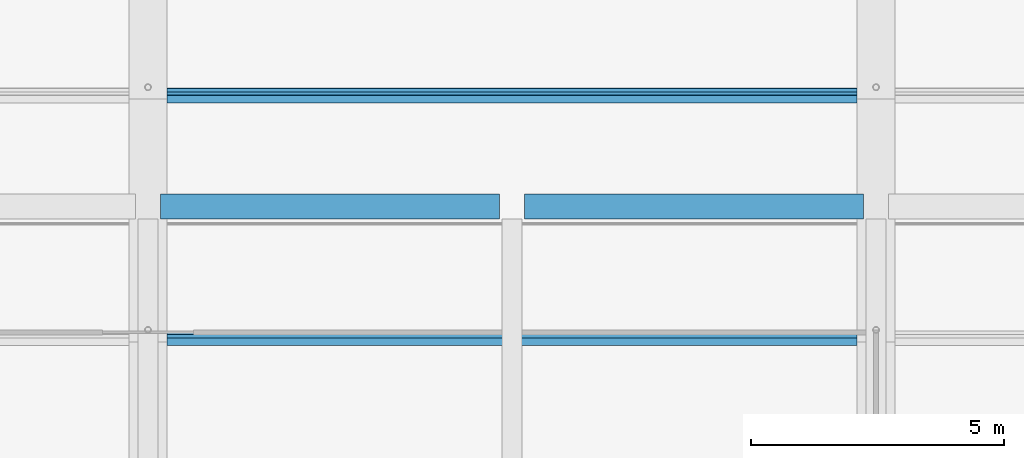
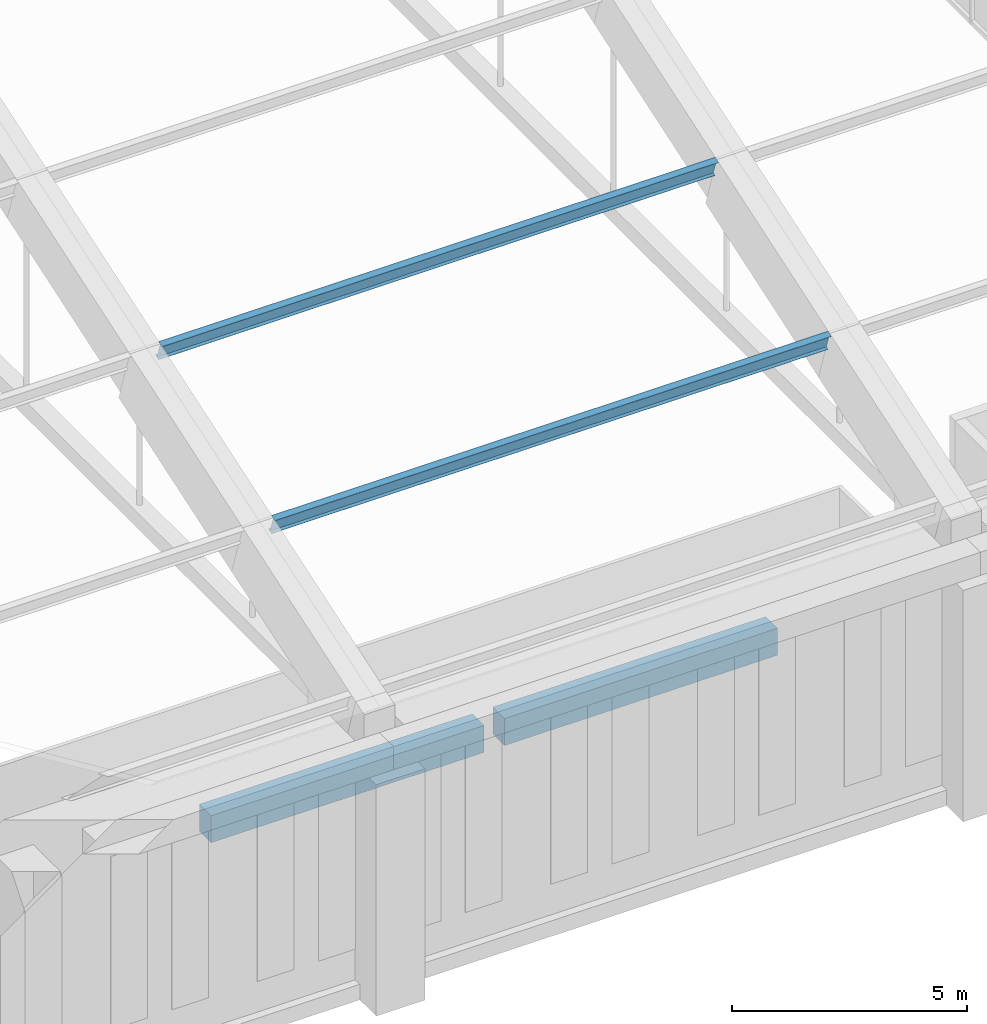
# One storey, part 23 of 149: 2 beams, 2 members.
"""IFC4 building model written with IfcOpenShell, lengths in metres."""

from ifc_helpers import new_model, si_unit, direction, frame, origin, origin_2d, place, context, subcontext, project, spatial, rectangle, i_section, extrude, material, material_profile, profile_set, type_object, element, save


model = new_model("IFC4")

# Units and contexts
model_context = context("Model", 3, precision=1e-05, world=origin(), true_north=direction((0.0, 1.0)))
body_context = subcontext(model_context, "Body", "Model", "MODEL_VIEW")
ifc_project = project(units=[si_unit("LENGTHUNIT", "METRE"), si_unit("AREAUNIT", "SQUARE_METRE"), si_unit("VOLUMEUNIT", "CUBIC_METRE"), si_unit("PLANEANGLEUNIT", "RADIAN"), si_unit("MASSUNIT", "GRAM", prefix="KILO")], contexts=[model_context])

# Site, building, storey
site_placement = place(None, origin())
site = spatial("IfcSite", under=ifc_project, at=site_placement, CompositionType="ELEMENT")
building_placement = place(site_placement, origin())
building = spatial("IfcBuilding", under=site, at=building_placement, Name="Alderwick Market Hall", CompositionType="ELEMENT")
storey_placement = place(building_placement, frame((0.0, 0.0, 9.60009765625)))
storey = spatial("IfcBuildingStorey", under=building, at=storey_placement, Name="L01", CompositionType="ELEMENT", Elevation=9.60009765625)

# Beams
ifc_material_1 = material(Name="Concrete 5000 psi (f'c 35 MPa)", Category="concrete")
ifc_material_profile_1 = material_profile(ifc_material_1, rectangle(XDim=0.5, YDim=0.699951171875, at=origin_2d()), Name="RC 500x700")
ifc_profile_set_1 = profile_set([ifc_material_profile_1], Name="Concrete 5000 psi (f'c 35 MPa)")
beam_type = type_object("IfcBeamType", Name="H Edge beam 500x700", PredefinedType="BEAM", material=ifc_profile_set_1)
beam_1_placement = place(storey_placement, frame((122.64990234375, 57.639892578125, -0.60009765625), z_axis=(1.0, 0.0, 0.0), x_axis=(0.0, 1.0, 0.0)))
element("IfcBeam", 1, at=beam_1_placement, inside=storey, type_object=beam_type, Name="Gallery edge beam S", PredefinedType="BEAM", context=body_context, shape_type="SweptSolid", body=[
    extrude(rectangle(XDim=0.5, YDim=0.699951171875, at=origin_2d()), origin(), (0.0, 0.0, 1.0), 6.7001953125),
])
beam_2_placement = place(storey_placement, frame((129.85009765625, 57.639892578125, -0.60009765625), z_axis=(1.0, 0.0, 0.0), x_axis=(0.0, 1.0, 0.0)))
element("IfcBeam", 2, at=beam_2_placement, inside=storey, type_object=beam_type, Name="Gallery edge beam S", PredefinedType="BEAM", context=body_context, shape_type="SweptSolid", body=[
    extrude(rectangle(XDim=0.5, YDim=0.699951171875, at=origin_2d()), origin(), (0.0, 0.0, 1.0), 6.699951171875),
])

# Members
ifc_material_2 = material(Name="Steel ASTM A992 Grade 50", Category="steel")
ifc_material_profile_2 = material_profile(ifc_material_2, i_section(OverallWidth=0.153076171875, OverallDepth=0.455078125, WebThickness=0.008056640625, FlangeThickness=0.01318359375, at=origin_2d()), Name="W18x40")
ifc_profile_set_2 = profile_set([ifc_material_profile_2], Name="Steel ASTM A992 Grade 50")
member_type = type_object("IfcMemberType", Name="R Purlin W18x40", PredefinedType="PURLIN", material=ifc_profile_set_2)
for number, where, z_axis, x_axis, name in (
    (3, (122.77490234375, 55.03662109375, 8.68994140625), (1.0, 0.0, 0.0), (0.0, 0.948683297073, 0.316227768949), "Roof purlin 2.6"),
    (4, (122.77490234375, 59.836669921875, 10.289794921875), (1.0, 0.0, 0.0), (0.0, 0.948683297073, 0.316227768949), "Roof purlin 3.6"),
):
    element("IfcMember", number, at=place(storey_placement, frame(where, z_axis=z_axis, x_axis=x_axis)), inside=storey, type_object=member_type, Name=name, PredefinedType="PURLIN", context=body_context, shape_type="SweptSolid", body=[
        extrude(i_section(OverallWidth=0.153076171875, OverallDepth=0.455078125, WebThickness=0.008056640625, FlangeThickness=0.01318359375, at=origin_2d()), origin(), (0.0, 0.0, 1.0), 13.650146484375),
    ])

save(model, "model.ifc")
